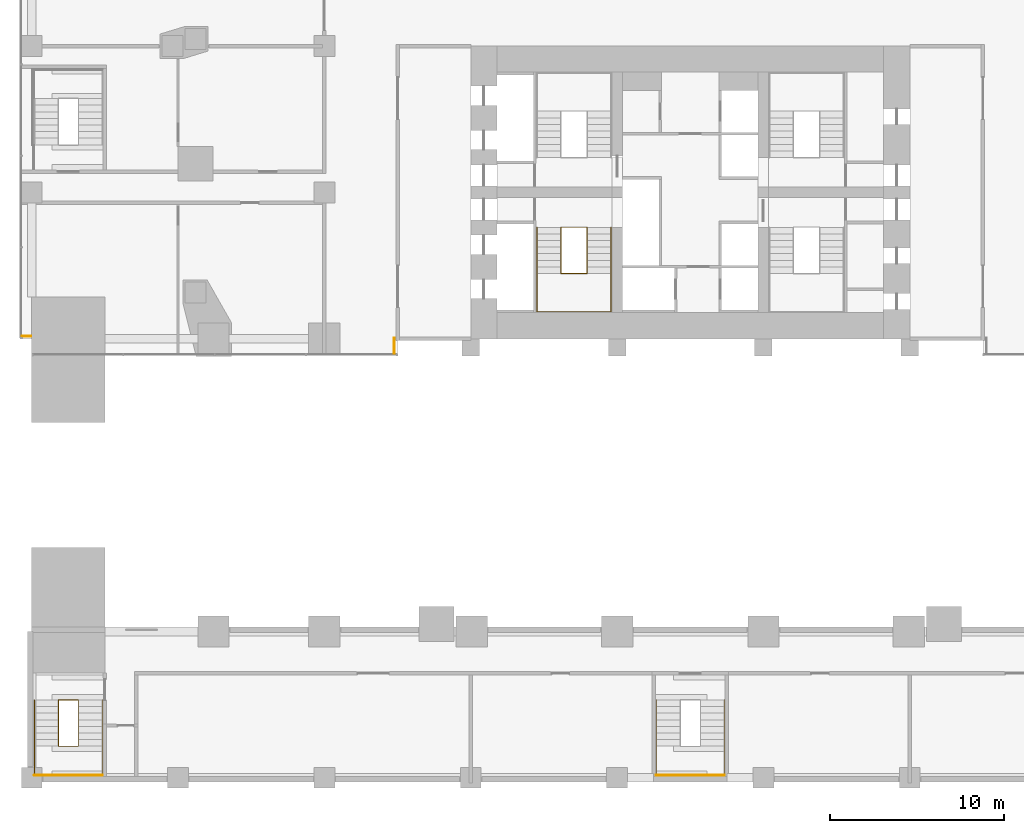
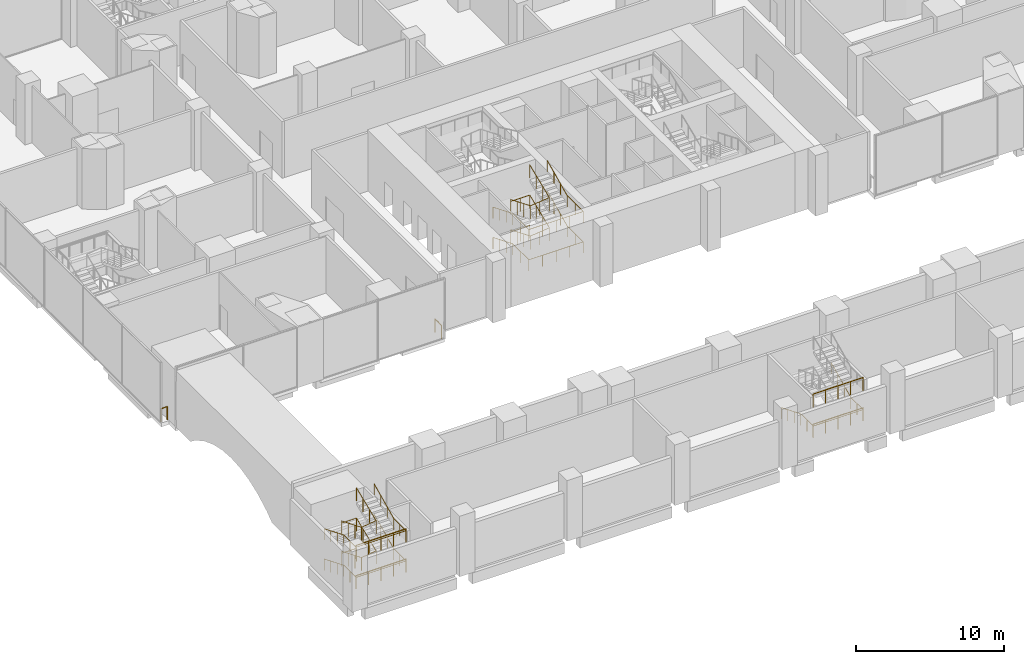
# One storey, part 23 of 28: 15 railings.
"""IFC4 building model written with IfcOpenShell, lengths in metres."""

from ifc_helpers import new_model, si_unit, direction, frame, origin, origin_2d, place, context, subcontext, project, spatial, circle, extrude, material, type_object, element, save


model = new_model("IFC4")

# Units and contexts
model_context = context("Model", 3, precision=1e-05, world=origin(), true_north=direction((0.0, 1.0)))
body_context = subcontext(model_context, "Body", "Model", "MODEL_VIEW")
ifc_project = project(units=[si_unit("LENGTHUNIT", "METRE"), si_unit("AREAUNIT", "SQUARE_METRE"), si_unit("VOLUMEUNIT", "CUBIC_METRE"), si_unit("PLANEANGLEUNIT", "RADIAN"), si_unit("MASSUNIT", "GRAM", prefix="KILO")], contexts=[model_context])

# Site, building, storey
site_placement = place(None, origin())
site = spatial("IfcSite", under=ifc_project, at=site_placement, CompositionType="ELEMENT")
building_placement = place(site_placement, origin())
building = spatial("IfcBuilding", under=site, at=building_placement, Name="Marenta Gate Hotel Tower", CompositionType="ELEMENT")
storey_placement = place(building_placement, frame((0.0, 0.0, 26.0)))
storey = spatial("IfcBuildingStorey", under=building, at=storey_placement, Name="L04", CompositionType="ELEMENT", Elevation=26.0)

# Railings
ifc_material_1 = material(Name="Stainless steel", Category="steel")
railing_type_1 = type_object("IfcRailingType", Name="Core stair handrail 950", PredefinedType="HANDRAIL", material=ifc_material_1)
railing_1_placement = place(storey_placement, frame((-8.800048828125, 6.39990234375, 0.15625)))
element("IfcRailing", 1, at=railing_1_placement, inside=storey, type_object=railing_type_1, Name="HR-950 L04-KR-ST1-1", PredefinedType="HANDRAIL", context=body_context, shape_type="SweptSolid", body=[
    extrude(circle(Radius=0.02392578125, at=origin_2d()), frame((0.0, 0.0, 0.92578125), z_axis=(0.0, -0.924862585091, 0.38030145766), x_axis=(1.0, 0.0, 0.0)), (0.0, 0.0, 1.0), 2.8759765625),
    extrude(circle(Radius=0.02392578125, at=origin_2d()), frame((0.0, -2.659912109375, 2.01953125), z_axis=(0.0, -1.0, 0.0), x_axis=(1.0, 0.0, 0.0)), (0.0, 0.0, 1.0), 2.18994140625),
    extrude(circle(Radius=0.02392578125, at=origin_2d()), frame((0.0, -4.849853515625, 2.01953125), z_axis=(1.0, 0.0, 0.0), x_axis=(0.0, 1.0, 0.0)), (0.0, 0.0, 1.0), 4.25),
    extrude(circle(Radius=0.02392578125, at=origin_2d()), frame((4.25, -4.849853515625, 2.01953125), z_axis=(0.0, 1.0, 0.0), x_axis=(-1.0, 0.0, 0.0)), (0.0, 0.0, 1.0), 2.18994140625),
    extrude(circle(Radius=0.02392578125, at=origin_2d()), frame((4.25, -2.659912109375, 2.01953125), z_axis=(0.0, 0.905044486808, 0.425316913488), x_axis=(-1.0, 0.0, 0.0)), (0.0, 0.0, 1.0), 2.93896484375),
    extrude(circle(Radius=0.02099609375, at=origin_2d()), origin(), (0.0, 0.0, 1.0), 0.90185546875),
    extrude(circle(Radius=0.02099609375, at=origin_2d()), frame((0.0, -0.88671875, 0.364501953125)), (0.0, 0.0, 1.0), 0.90185546875),
    extrude(circle(Radius=0.02099609375, at=origin_2d()), frame((0.0, -1.773193359375, 0.729248046875)), (0.0, 0.0, 1.0), 0.90185546875),
    extrude(circle(Radius=0.02099609375, at=origin_2d()), frame((0.0, -2.659912109375, 1.09375)), (0.0, 0.0, 1.0), 0.90185546875),
    extrude(circle(Radius=0.02099609375, at=origin_2d()), frame((0.0, -3.7548828125, 1.09375)), (0.0, 0.0, 1.0), 0.90185546875),
    extrude(circle(Radius=0.02099609375, at=origin_2d()), frame((0.0, -4.849853515625, 1.09375)), (0.0, 0.0, 1.0), 0.90185546875),
    extrude(circle(Radius=0.02099609375, at=origin_2d()), frame((1.0625, -4.849853515625, 1.09375)), (0.0, 0.0, 1.0), 0.90185546875),
    extrude(circle(Radius=0.02099609375, at=origin_2d()), frame((2.125, -4.849853515625, 1.09375)), (0.0, 0.0, 1.0), 0.90185546875),
    extrude(circle(Radius=0.02099609375, at=origin_2d()), frame((3.1875, -4.849853515625, 1.09375)), (0.0, 0.0, 1.0), 0.90185546875),
    extrude(circle(Radius=0.02099609375, at=origin_2d()), frame((4.25, -4.849853515625, 1.09375)), (0.0, 0.0, 1.0), 0.90185546875),
    extrude(circle(Radius=0.02099609375, at=origin_2d()), frame((4.25, -3.7548828125, 1.09375)), (0.0, 0.0, 1.0), 0.90185546875),
    extrude(circle(Radius=0.02099609375, at=origin_2d()), frame((4.25, -2.659912109375, 1.09375)), (0.0, 0.0, 1.0), 0.90185546875),
    extrude(circle(Radius=0.02099609375, at=origin_2d()), frame((4.25, -1.773193359375, 1.510498046875)), (0.0, 0.0, 1.0), 0.90185546875),
    extrude(circle(Radius=0.02099609375, at=origin_2d()), frame((4.25, -0.88671875, 1.927001953125)), (0.0, 0.0, 1.0), 0.90185546875),
    extrude(circle(Radius=0.02099609375, at=origin_2d()), frame((4.25, 0.0, 2.34375)), (0.0, 0.0, 1.0), 0.90185546875),
])
railing_2_placement = place(storey_placement, frame((-8.800048828125, 6.39990234375, 2.65625)))
element("IfcRailing", 2, at=railing_2_placement, inside=storey, type_object=railing_type_1, Name="HR-950 L04-KR-ST1-3", PredefinedType="HANDRAIL", context=body_context, shape_type="SweptSolid", body=[
    extrude(circle(Radius=0.02392578125, at=origin_2d()), frame((0.0, 0.0, 0.92578125), z_axis=(0.0, -0.924862585091, 0.38030145766), x_axis=(1.0, 0.0, 0.0)), (0.0, 0.0, 1.0), 2.8759765625),
    extrude(circle(Radius=0.02392578125, at=origin_2d()), frame((0.0, -2.659912109375, 2.01953125), z_axis=(0.0, -1.0, 0.0), x_axis=(1.0, 0.0, 0.0)), (0.0, 0.0, 1.0), 2.18994140625),
    extrude(circle(Radius=0.02392578125, at=origin_2d()), frame((0.0, -4.849853515625, 2.01953125), z_axis=(1.0, 0.0, 0.0), x_axis=(0.0, 1.0, 0.0)), (0.0, 0.0, 1.0), 4.25),
    extrude(circle(Radius=0.02392578125, at=origin_2d()), frame((4.25, -4.849853515625, 2.01953125), z_axis=(0.0, 1.0, 0.0), x_axis=(-1.0, 0.0, 0.0)), (0.0, 0.0, 1.0), 2.18994140625),
    extrude(circle(Radius=0.02392578125, at=origin_2d()), frame((4.25, -2.659912109375, 2.01953125), z_axis=(0.0, 0.905044486808, 0.425316913488), x_axis=(-1.0, 0.0, 0.0)), (0.0, 0.0, 1.0), 2.93896484375),
    extrude(circle(Radius=0.02099609375, at=origin_2d()), origin(), (0.0, 0.0, 1.0), 0.90185546875),
    extrude(circle(Radius=0.02099609375, at=origin_2d()), frame((0.0, -0.88671875, 0.364501953125)), (0.0, 0.0, 1.0), 0.90185546875),
    extrude(circle(Radius=0.02099609375, at=origin_2d()), frame((0.0, -1.773193359375, 0.729248046875)), (0.0, 0.0, 1.0), 0.90185546875),
    extrude(circle(Radius=0.02099609375, at=origin_2d()), frame((0.0, -2.659912109375, 1.09375)), (0.0, 0.0, 1.0), 0.90185546875),
    extrude(circle(Radius=0.02099609375, at=origin_2d()), frame((0.0, -3.7548828125, 1.09375)), (0.0, 0.0, 1.0), 0.90185546875),
    extrude(circle(Radius=0.02099609375, at=origin_2d()), frame((0.0, -4.849853515625, 1.09375)), (0.0, 0.0, 1.0), 0.90185546875),
    extrude(circle(Radius=0.02099609375, at=origin_2d()), frame((1.0625, -4.849853515625, 1.09375)), (0.0, 0.0, 1.0), 0.90185546875),
    extrude(circle(Radius=0.02099609375, at=origin_2d()), frame((2.125, -4.849853515625, 1.09375)), (0.0, 0.0, 1.0), 0.90185546875),
    extrude(circle(Radius=0.02099609375, at=origin_2d()), frame((3.1875, -4.849853515625, 1.09375)), (0.0, 0.0, 1.0), 0.90185546875),
    extrude(circle(Radius=0.02099609375, at=origin_2d()), frame((4.25, -4.849853515625, 1.09375)), (0.0, 0.0, 1.0), 0.90185546875),
    extrude(circle(Radius=0.02099609375, at=origin_2d()), frame((4.25, -3.7548828125, 1.09375)), (0.0, 0.0, 1.0), 0.90185546875),
    extrude(circle(Radius=0.02099609375, at=origin_2d()), frame((4.25, -2.659912109375, 1.09375)), (0.0, 0.0, 1.0), 0.90185546875),
    extrude(circle(Radius=0.02099609375, at=origin_2d()), frame((4.25, -1.773193359375, 1.510498046875)), (0.0, 0.0, 1.0), 0.90185546875),
    extrude(circle(Radius=0.02099609375, at=origin_2d()), frame((4.25, -0.88671875, 1.927001953125)), (0.0, 0.0, 1.0), 0.90185546875),
    extrude(circle(Radius=0.02099609375, at=origin_2d()), frame((4.25, 0.0, 2.34375)), (0.0, 0.0, 1.0), 0.90185546875),
])
railing_3_placement = place(storey_placement, frame((-37.64990234375, -20.72998046875, 0.15625)))
element("IfcRailing", 3, at=railing_3_placement, inside=storey, type_object=railing_type_1, Name="HR-950 L04-KR-PX1-2", PredefinedType="HANDRAIL", context=body_context, shape_type="SweptSolid", body=[
    extrude(circle(Radius=0.02392578125, at=origin_2d()), frame((0.0, 0.0, 0.92578125), z_axis=(0.0, -0.924862585091, 0.38030145766), x_axis=(1.0, 0.0, 0.0)), (0.0, 0.0, 1.0), 2.8759765625),
    extrude(circle(Radius=0.02392578125, at=origin_2d()), frame((0.0, -2.659912109375, 2.01953125), z_axis=(0.0, -1.0, 0.0), x_axis=(1.0, 0.0, 0.0)), (0.0, 0.0, 1.0), 1.66015625),
    extrude(circle(Radius=0.02392578125, at=origin_2d()), frame((0.0, -4.320068359375, 2.01953125), z_axis=(1.0, 0.0, 0.0), x_axis=(0.0, 1.0, 0.0)), (0.0, 0.0, 1.0), 3.89990234375),
    extrude(circle(Radius=0.02392578125, at=origin_2d()), frame((3.89990234375, -4.320068359375, 2.01953125), z_axis=(0.0, 1.0, 0.0), x_axis=(-1.0, 0.0, 0.0)), (0.0, 0.0, 1.0), 1.66015625),
    extrude(circle(Radius=0.02392578125, at=origin_2d()), frame((3.89990234375, -2.659912109375, 2.01953125), z_axis=(0.0, 0.905044486808, 0.425316913488), x_axis=(-1.0, 0.0, 0.0)), (0.0, 0.0, 1.0), 2.93896484375),
    extrude(circle(Radius=0.02099609375, at=origin_2d()), origin(), (0.0, 0.0, 1.0), 0.90185546875),
    extrude(circle(Radius=0.02099609375, at=origin_2d()), frame((0.0, -0.88671875, 0.364501953125)), (0.0, 0.0, 1.0), 0.90185546875),
    extrude(circle(Radius=0.02099609375, at=origin_2d()), frame((0.0, -1.773193359375, 0.729248046875)), (0.0, 0.0, 1.0), 0.90185546875),
    extrude(circle(Radius=0.02099609375, at=origin_2d()), frame((0.0, -2.659912109375, 1.09375)), (0.0, 0.0, 1.0), 0.90185546875),
    extrude(circle(Radius=0.02099609375, at=origin_2d()), frame((0.0, -3.489990234375, 1.09375)), (0.0, 0.0, 1.0), 0.90185546875),
    extrude(circle(Radius=0.02099609375, at=origin_2d()), frame((0.0, -4.320068359375, 1.09375)), (0.0, 0.0, 1.0), 0.90185546875),
    extrude(circle(Radius=0.02099609375, at=origin_2d()), frame((0.97509765625, -4.320068359375, 1.09375)), (0.0, 0.0, 1.0), 0.90185546875),
    extrude(circle(Radius=0.02099609375, at=origin_2d()), frame((1.949951171875, -4.320068359375, 1.09375)), (0.0, 0.0, 1.0), 0.90185546875),
    extrude(circle(Radius=0.02099609375, at=origin_2d()), frame((2.9248046875, -4.320068359375, 1.09375)), (0.0, 0.0, 1.0), 0.90185546875),
    extrude(circle(Radius=0.02099609375, at=origin_2d()), frame((3.89990234375, -4.320068359375, 1.09375)), (0.0, 0.0, 1.0), 0.90185546875),
    extrude(circle(Radius=0.02099609375, at=origin_2d()), frame((3.89990234375, -3.489990234375, 1.09375)), (0.0, 0.0, 1.0), 0.90185546875),
    extrude(circle(Radius=0.02099609375, at=origin_2d()), frame((3.89990234375, -2.659912109375, 1.09375)), (0.0, 0.0, 1.0), 0.90185546875),
    extrude(circle(Radius=0.02099609375, at=origin_2d()), frame((3.89990234375, -1.773193359375, 1.510498046875)), (0.0, 0.0, 1.0), 0.90185546875),
    extrude(circle(Radius=0.02099609375, at=origin_2d()), frame((3.89990234375, -0.88671875, 1.927001953125)), (0.0, 0.0, 1.0), 0.90185546875),
    extrude(circle(Radius=0.02099609375, at=origin_2d()), frame((3.89990234375, 0.0, 2.34375)), (0.0, 0.0, 1.0), 0.90185546875),
])
railing_4_placement = place(storey_placement, frame((-37.64990234375, -20.72998046875, 2.65625)))
element("IfcRailing", 4, at=railing_4_placement, inside=storey, type_object=railing_type_1, Name="HR-950 L04-KR-PX1-5", PredefinedType="HANDRAIL", context=body_context, shape_type="SweptSolid", body=[
    extrude(circle(Radius=0.02392578125, at=origin_2d()), frame((0.0, 0.0, 0.92578125), z_axis=(0.0, -0.924862585091, 0.38030145766), x_axis=(1.0, 0.0, 0.0)), (0.0, 0.0, 1.0), 2.8759765625),
    extrude(circle(Radius=0.02392578125, at=origin_2d()), frame((0.0, -2.659912109375, 2.01953125), z_axis=(0.0, -1.0, 0.0), x_axis=(1.0, 0.0, 0.0)), (0.0, 0.0, 1.0), 1.66015625),
    extrude(circle(Radius=0.02392578125, at=origin_2d()), frame((0.0, -4.320068359375, 2.01953125), z_axis=(1.0, 0.0, 0.0), x_axis=(0.0, 1.0, 0.0)), (0.0, 0.0, 1.0), 3.89990234375),
    extrude(circle(Radius=0.02392578125, at=origin_2d()), frame((3.89990234375, -4.320068359375, 2.01953125), z_axis=(0.0, 1.0, 0.0), x_axis=(-1.0, 0.0, 0.0)), (0.0, 0.0, 1.0), 1.66015625),
    extrude(circle(Radius=0.02392578125, at=origin_2d()), frame((3.89990234375, -2.659912109375, 2.01953125), z_axis=(0.0, 0.905044486808, 0.425316913488), x_axis=(-1.0, 0.0, 0.0)), (0.0, 0.0, 1.0), 2.93896484375),
    extrude(circle(Radius=0.02099609375, at=origin_2d()), origin(), (0.0, 0.0, 1.0), 0.90185546875),
    extrude(circle(Radius=0.02099609375, at=origin_2d()), frame((0.0, -0.88671875, 0.364501953125)), (0.0, 0.0, 1.0), 0.90185546875),
    extrude(circle(Radius=0.02099609375, at=origin_2d()), frame((0.0, -1.773193359375, 0.729248046875)), (0.0, 0.0, 1.0), 0.90185546875),
    extrude(circle(Radius=0.02099609375, at=origin_2d()), frame((0.0, -2.659912109375, 1.09375)), (0.0, 0.0, 1.0), 0.90185546875),
    extrude(circle(Radius=0.02099609375, at=origin_2d()), frame((0.0, -3.489990234375, 1.09375)), (0.0, 0.0, 1.0), 0.90185546875),
    extrude(circle(Radius=0.02099609375, at=origin_2d()), frame((0.0, -4.320068359375, 1.09375)), (0.0, 0.0, 1.0), 0.90185546875),
    extrude(circle(Radius=0.02099609375, at=origin_2d()), frame((0.97509765625, -4.320068359375, 1.09375)), (0.0, 0.0, 1.0), 0.90185546875),
    extrude(circle(Radius=0.02099609375, at=origin_2d()), frame((1.949951171875, -4.320068359375, 1.09375)), (0.0, 0.0, 1.0), 0.90185546875),
    extrude(circle(Radius=0.02099609375, at=origin_2d()), frame((2.9248046875, -4.320068359375, 1.09375)), (0.0, 0.0, 1.0), 0.90185546875),
    extrude(circle(Radius=0.02099609375, at=origin_2d()), frame((3.89990234375, -4.320068359375, 1.09375)), (0.0, 0.0, 1.0), 0.90185546875),
    extrude(circle(Radius=0.02099609375, at=origin_2d()), frame((3.89990234375, -3.489990234375, 1.09375)), (0.0, 0.0, 1.0), 0.90185546875),
    extrude(circle(Radius=0.02099609375, at=origin_2d()), frame((3.89990234375, -2.659912109375, 1.09375)), (0.0, 0.0, 1.0), 0.90185546875),
    extrude(circle(Radius=0.02099609375, at=origin_2d()), frame((3.89990234375, -1.773193359375, 1.510498046875)), (0.0, 0.0, 1.0), 0.90185546875),
    extrude(circle(Radius=0.02099609375, at=origin_2d()), frame((3.89990234375, -0.88671875, 1.927001953125)), (0.0, 0.0, 1.0), 0.90185546875),
    extrude(circle(Radius=0.02099609375, at=origin_2d()), frame((3.89990234375, 0.0, 2.34375)), (0.0, 0.0, 1.0), 0.90185546875),
])
railing_5_placement = place(storey_placement, frame((-1.949951171875, -20.72998046875, 0.15625)))
element("IfcRailing", 5, at=railing_5_placement, inside=storey, type_object=railing_type_1, Name="HR-950 L04-KR-PX5-2", PredefinedType="HANDRAIL", context=body_context, shape_type="SweptSolid", body=[
    extrude(circle(Radius=0.02392578125, at=origin_2d()), frame((0.0, 0.0, 0.92578125), z_axis=(0.0, -0.924862585091, 0.38030145766), x_axis=(1.0, 0.0, 0.0)), (0.0, 0.0, 1.0), 2.8759765625),
    extrude(circle(Radius=0.02392578125, at=origin_2d()), frame((0.0, -2.659912109375, 2.01953125), z_axis=(0.0, -1.0, 0.0), x_axis=(1.0, 0.0, 0.0)), (0.0, 0.0, 1.0), 1.66015625),
    extrude(circle(Radius=0.02392578125, at=origin_2d()), frame((0.0, -4.320068359375, 2.01953125), z_axis=(1.0, 0.0, 0.0), x_axis=(0.0, 1.0, 0.0)), (0.0, 0.0, 1.0), 3.89990234375),
    extrude(circle(Radius=0.02392578125, at=origin_2d()), frame((3.89990234375, -4.320068359375, 2.01953125), z_axis=(0.0, 1.0, 0.0), x_axis=(-1.0, 0.0, 0.0)), (0.0, 0.0, 1.0), 1.66015625),
    extrude(circle(Radius=0.02392578125, at=origin_2d()), frame((3.89990234375, -2.659912109375, 2.01953125), z_axis=(0.0, 0.905044486808, 0.425316913488), x_axis=(-1.0, 0.0, 0.0)), (0.0, 0.0, 1.0), 2.93896484375),
    extrude(circle(Radius=0.02099609375, at=origin_2d()), origin(), (0.0, 0.0, 1.0), 0.90185546875),
    extrude(circle(Radius=0.02099609375, at=origin_2d()), frame((0.0, -0.88671875, 0.364501953125)), (0.0, 0.0, 1.0), 0.90185546875),
    extrude(circle(Radius=0.02099609375, at=origin_2d()), frame((0.0, -1.773193359375, 0.729248046875)), (0.0, 0.0, 1.0), 0.90185546875),
    extrude(circle(Radius=0.02099609375, at=origin_2d()), frame((0.0, -2.659912109375, 1.09375)), (0.0, 0.0, 1.0), 0.90185546875),
    extrude(circle(Radius=0.02099609375, at=origin_2d()), frame((0.0, -3.489990234375, 1.09375)), (0.0, 0.0, 1.0), 0.90185546875),
    extrude(circle(Radius=0.02099609375, at=origin_2d()), frame((0.0, -4.320068359375, 1.09375)), (0.0, 0.0, 1.0), 0.90185546875),
    extrude(circle(Radius=0.02099609375, at=origin_2d()), frame((0.97509765625, -4.320068359375, 1.09375)), (0.0, 0.0, 1.0), 0.90185546875),
    extrude(circle(Radius=0.02099609375, at=origin_2d()), frame((1.949951171875, -4.320068359375, 1.09375)), (0.0, 0.0, 1.0), 0.90185546875),
    extrude(circle(Radius=0.02099609375, at=origin_2d()), frame((2.9248046875, -4.320068359375, 1.09375)), (0.0, 0.0, 1.0), 0.90185546875),
    extrude(circle(Radius=0.02099609375, at=origin_2d()), frame((3.89990234375, -4.320068359375, 1.09375)), (0.0, 0.0, 1.0), 0.90185546875),
    extrude(circle(Radius=0.02099609375, at=origin_2d()), frame((3.89990234375, -3.489990234375, 1.09375)), (0.0, 0.0, 1.0), 0.90185546875),
    extrude(circle(Radius=0.02099609375, at=origin_2d()), frame((3.89990234375, -2.659912109375, 1.09375)), (0.0, 0.0, 1.0), 0.90185546875),
    extrude(circle(Radius=0.02099609375, at=origin_2d()), frame((3.89990234375, -1.773193359375, 1.510498046875)), (0.0, 0.0, 1.0), 0.90185546875),
    extrude(circle(Radius=0.02099609375, at=origin_2d()), frame((3.89990234375, -0.88671875, 1.927001953125)), (0.0, 0.0, 1.0), 0.90185546875),
    extrude(circle(Radius=0.02099609375, at=origin_2d()), frame((3.89990234375, 0.0, 2.34375)), (0.0, 0.0, 1.0), 0.90185546875),
])
ifc_material_2 = material(Name="Stainless steel", Category="steel")
railing_type_2 = type_object("IfcRailingType", Name="Core stair well guard 1100", PredefinedType="GUARDRAIL", material=ifc_material_2)
railing_6_placement = place(storey_placement, frame((-5.929931640625, 6.39990234375, 0.0)))
element("IfcRailing", 6, at=railing_6_placement, inside=storey, type_object=railing_type_2, Name="GR-1100 L04-KR-ST1-2", PredefinedType="GUARDRAIL", context=body_context, shape_type="SweptSolid", body=[
    extrude(circle(Radius=0.02392578125, at=origin_2d()), frame((0.0, 0.0, 1.076171875), z_axis=(-1.0, 0.0, 0.0), x_axis=(0.0, -1.0, 0.0)), (0.0, 0.0, 1.0), 1.489990234375),
    extrude(circle(Radius=0.02392578125, at=origin_2d()), frame((-1.489990234375, 0.0, 1.076171875), z_axis=(0.0, 0.0, 1.0), x_axis=(1.0, 0.0, 0.0)), (0.0, 0.0, 1.0), 0.15625),
    extrude(circle(Radius=0.02392578125, at=origin_2d()), frame((-1.489990234375, 0.0, 1.232421875), z_axis=(0.0, -0.924862585091, 0.38030145766), x_axis=(1.0, 0.0, 0.0)), (0.0, 0.0, 1.0), 2.8759765625),
    extrude(circle(Radius=0.02392578125, at=origin_2d()), frame((-1.489990234375, -2.659912109375, 2.326171875), z_axis=(0.994546451282, 0.0, 0.104294564775), x_axis=(0.0, 1.0, 0.0)), (0.0, 0.0, 1.0), 1.498046875),
    extrude(circle(Radius=0.02392578125, at=origin_2d()), frame((0.0, -2.659912109375, 2.482421875), z_axis=(0.0, 0.924862585091, 0.38030145766), x_axis=(-1.0, 0.0, 0.0)), (0.0, 0.0, 1.0), 2.8759765625),
    extrude(circle(Radius=0.02099609375, at=origin_2d()), origin(), (0.0, 0.0, 1.0), 1.052001953125),
    extrude(circle(Radius=0.02099609375, at=origin_2d()), frame((-0.7451171875, 0.0, 0.0)), (0.0, 0.0, 1.0), 1.052001953125),
    extrude(circle(Radius=0.02099609375, at=origin_2d()), frame((-1.489990234375, 0.0, 0.0)), (0.0, 0.0, 1.0), 1.052001953125),
    extrude(circle(Radius=0.02099609375, at=origin_2d()), frame((-1.489990234375, 0.0, 0.15625)), (0.0, 0.0, 1.0), 1.052001953125),
    extrude(circle(Radius=0.02099609375, at=origin_2d()), frame((-1.489990234375, -0.88671875, 0.520751953125)), (0.0, 0.0, 1.0), 1.052001953125),
    extrude(circle(Radius=0.02099609375, at=origin_2d()), frame((-1.489990234375, -1.773193359375, 0.885498046875)), (0.0, 0.0, 1.0), 1.052001953125),
    extrude(circle(Radius=0.02099609375, at=origin_2d()), frame((-1.489990234375, -2.659912109375, 1.25)), (0.0, 0.0, 1.0), 1.052001953125),
    extrude(circle(Radius=0.02099609375, at=origin_2d()), frame((-0.7451171875, -2.659912109375, 1.328125)), (0.0, 0.0, 1.0), 1.052001953125),
    extrude(circle(Radius=0.02099609375, at=origin_2d()), frame((0.0, -2.659912109375, 1.40625)), (0.0, 0.0, 1.0), 1.052001953125),
    extrude(circle(Radius=0.02099609375, at=origin_2d()), frame((0.0, -1.773193359375, 1.770751953125)), (0.0, 0.0, 1.0), 1.052001953125),
    extrude(circle(Radius=0.02099609375, at=origin_2d()), frame((0.0, -0.88671875, 2.135498046875)), (0.0, 0.0, 1.0), 1.052001953125),
    extrude(circle(Radius=0.02099609375, at=origin_2d()), frame((0.0, 0.0, 2.5)), (0.0, 0.0, 1.0), 1.052001953125),
])
railing_7_placement = place(storey_placement, frame((-5.929931640625, 6.39990234375, 2.5)))
element("IfcRailing", 7, at=railing_7_placement, inside=storey, type_object=railing_type_2, Name="GR-1100 L04-KR-ST1-4", PredefinedType="GUARDRAIL", context=body_context, shape_type="SweptSolid", body=[
    extrude(circle(Radius=0.02392578125, at=origin_2d()), frame((0.0, 0.0, 1.076171875), z_axis=(-1.0, 0.0, 0.0), x_axis=(0.0, -1.0, 0.0)), (0.0, 0.0, 1.0), 1.489990234375),
    extrude(circle(Radius=0.02392578125, at=origin_2d()), frame((-1.489990234375, 0.0, 1.076171875), z_axis=(0.0, 0.0, 1.0), x_axis=(1.0, 0.0, 0.0)), (0.0, 0.0, 1.0), 0.15625),
    extrude(circle(Radius=0.02392578125, at=origin_2d()), frame((-1.489990234375, 0.0, 1.232421875), z_axis=(0.0, -0.924862585091, 0.38030145766), x_axis=(1.0, 0.0, 0.0)), (0.0, 0.0, 1.0), 2.8759765625),
    extrude(circle(Radius=0.02392578125, at=origin_2d()), frame((-1.489990234375, -2.659912109375, 2.326171875), z_axis=(0.994546451282, 0.0, 0.104294564775), x_axis=(0.0, 1.0, 0.0)), (0.0, 0.0, 1.0), 1.498046875),
    extrude(circle(Radius=0.02392578125, at=origin_2d()), frame((0.0, -2.659912109375, 2.482421875), z_axis=(0.0, 0.924862585091, 0.38030145766), x_axis=(-1.0, 0.0, 0.0)), (0.0, 0.0, 1.0), 2.8759765625),
    extrude(circle(Radius=0.02099609375, at=origin_2d()), origin(), (0.0, 0.0, 1.0), 1.052001953125),
    extrude(circle(Radius=0.02099609375, at=origin_2d()), frame((-0.7451171875, 0.0, 0.0)), (0.0, 0.0, 1.0), 1.052001953125),
    extrude(circle(Radius=0.02099609375, at=origin_2d()), frame((-1.489990234375, 0.0, 0.0)), (0.0, 0.0, 1.0), 1.052001953125),
    extrude(circle(Radius=0.02099609375, at=origin_2d()), frame((-1.489990234375, 0.0, 0.15625)), (0.0, 0.0, 1.0), 1.052001953125),
    extrude(circle(Radius=0.02099609375, at=origin_2d()), frame((-1.489990234375, -0.88671875, 0.520751953125)), (0.0, 0.0, 1.0), 1.052001953125),
    extrude(circle(Radius=0.02099609375, at=origin_2d()), frame((-1.489990234375, -1.773193359375, 0.885498046875)), (0.0, 0.0, 1.0), 1.052001953125),
    extrude(circle(Radius=0.02099609375, at=origin_2d()), frame((-1.489990234375, -2.659912109375, 1.25)), (0.0, 0.0, 1.0), 1.052001953125),
    extrude(circle(Radius=0.02099609375, at=origin_2d()), frame((-0.7451171875, -2.659912109375, 1.328125)), (0.0, 0.0, 1.0), 1.052001953125),
    extrude(circle(Radius=0.02099609375, at=origin_2d()), frame((0.0, -2.659912109375, 1.40625)), (0.0, 0.0, 1.0), 1.052001953125),
    extrude(circle(Radius=0.02099609375, at=origin_2d()), frame((0.0, -1.773193359375, 1.770751953125)), (0.0, 0.0, 1.0), 1.052001953125),
    extrude(circle(Radius=0.02099609375, at=origin_2d()), frame((0.0, -0.88671875, 2.135498046875)), (0.0, 0.0, 1.0), 1.052001953125),
    extrude(circle(Radius=0.02099609375, at=origin_2d()), frame((0.0, 0.0, 2.5)), (0.0, 0.0, 1.0), 1.052001953125),
])
railing_8_placement = place(storey_placement, frame((-37.64990234375, -25.050048828125, 1.25)))
element("IfcRailing", 8, at=railing_8_placement, inside=storey, type_object=railing_type_2, Name="GR-1100 L04-KR-PX1-1", PredefinedType="GUARDRAIL", context=body_context, shape_type="SweptSolid", body=[
    extrude(circle(Radius=0.02392578125, at=origin_2d()), frame((0.0, 0.0, 1.076171875), z_axis=(1.0, 0.0, 0.0), x_axis=(0.0, 1.0, 0.0)), (0.0, 0.0, 1.0), 3.89990234375),
    extrude(circle(Radius=0.02099609375, at=origin_2d()), origin(), (0.0, 0.0, 1.0), 1.052001953125),
    extrude(circle(Radius=0.02099609375, at=origin_2d()), frame((0.97509765625, 0.0, 0.0)), (0.0, 0.0, 1.0), 1.052001953125),
    extrude(circle(Radius=0.02099609375, at=origin_2d()), frame((1.949951171875, 0.0, 0.0)), (0.0, 0.0, 1.0), 1.052001953125),
    extrude(circle(Radius=0.02099609375, at=origin_2d()), frame((2.9248046875, 0.0, 0.0)), (0.0, 0.0, 1.0), 1.052001953125),
    extrude(circle(Radius=0.02099609375, at=origin_2d()), frame((3.89990234375, 0.0, 0.0)), (0.0, 0.0, 1.0), 1.052001953125),
])
railing_9_placement = place(storey_placement, frame((-35.1298828125, -20.72998046875, 0.0)))
element("IfcRailing", 9, at=railing_9_placement, inside=storey, type_object=railing_type_2, Name="GR-1100 L04-KR-PX1-3", PredefinedType="GUARDRAIL", context=body_context, shape_type="SweptSolid", body=[
    extrude(circle(Radius=0.02392578125, at=origin_2d()), frame((0.0, 0.0, 1.076171875), z_axis=(-1.0, 0.0, 0.0), x_axis=(0.0, -1.0, 0.0)), (0.0, 0.0, 1.0), 1.14013671875),
    extrude(circle(Radius=0.02392578125, at=origin_2d()), frame((-1.14013671875, 0.0, 1.076171875), z_axis=(0.0, 0.0, 1.0), x_axis=(1.0, 0.0, 0.0)), (0.0, 0.0, 1.0), 0.15625),
    extrude(circle(Radius=0.02392578125, at=origin_2d()), frame((-1.14013671875, 0.0, 1.232421875), z_axis=(0.0, -0.924862585091, 0.38030145766), x_axis=(1.0, 0.0, 0.0)), (0.0, 0.0, 1.0), 2.8759765625),
    extrude(circle(Radius=0.02392578125, at=origin_2d()), frame((-1.14013671875, -2.659912109375, 2.326171875), z_axis=(0.990739578357, 0.0, 0.135775873693), x_axis=(0.0, 1.0, 0.0)), (0.0, 0.0, 1.0), 1.15087890625),
    extrude(circle(Radius=0.02392578125, at=origin_2d()), frame((0.0, -2.659912109375, 2.482421875), z_axis=(0.0, 0.924862585091, 0.38030145766), x_axis=(-1.0, 0.0, 0.0)), (0.0, 0.0, 1.0), 2.8759765625),
    extrude(circle(Radius=0.02099609375, at=origin_2d()), origin(), (0.0, 0.0, 1.0), 1.052001953125),
    extrude(circle(Radius=0.02099609375, at=origin_2d()), frame((-1.14013671875, 0.0, 0.0)), (0.0, 0.0, 1.0), 1.052001953125),
    extrude(circle(Radius=0.02099609375, at=origin_2d()), frame((-1.14013671875, 0.0, 0.15625)), (0.0, 0.0, 1.0), 1.052001953125),
    extrude(circle(Radius=0.02099609375, at=origin_2d()), frame((-1.14013671875, -0.88671875, 0.520751953125)), (0.0, 0.0, 1.0), 1.052001953125),
    extrude(circle(Radius=0.02099609375, at=origin_2d()), frame((-1.14013671875, -1.773193359375, 0.885498046875)), (0.0, 0.0, 1.0), 1.052001953125),
    extrude(circle(Radius=0.02099609375, at=origin_2d()), frame((-1.14013671875, -2.659912109375, 1.25)), (0.0, 0.0, 1.0), 1.052001953125),
    extrude(circle(Radius=0.02099609375, at=origin_2d()), frame((0.0, -2.659912109375, 1.40625)), (0.0, 0.0, 1.0), 1.052001953125),
    extrude(circle(Radius=0.02099609375, at=origin_2d()), frame((0.0, -1.773193359375, 1.770751953125)), (0.0, 0.0, 1.0), 1.052001953125),
    extrude(circle(Radius=0.02099609375, at=origin_2d()), frame((0.0, -0.88671875, 2.135498046875)), (0.0, 0.0, 1.0), 1.052001953125),
    extrude(circle(Radius=0.02099609375, at=origin_2d()), frame((0.0, 0.0, 2.5)), (0.0, 0.0, 1.0), 1.052001953125),
])
railing_10_placement = place(storey_placement, frame((-37.64990234375, -25.050048828125, 3.75)))
element("IfcRailing", 10, at=railing_10_placement, inside=storey, type_object=railing_type_2, Name="GR-1100 L04-KR-PX1-4", PredefinedType="GUARDRAIL", context=body_context, shape_type="SweptSolid", body=[
    extrude(circle(Radius=0.02392578125, at=origin_2d()), frame((0.0, 0.0, 1.076171875), z_axis=(1.0, 0.0, 0.0), x_axis=(0.0, 1.0, 0.0)), (0.0, 0.0, 1.0), 3.89990234375),
    extrude(circle(Radius=0.02099609375, at=origin_2d()), origin(), (0.0, 0.0, 1.0), 1.052001953125),
    extrude(circle(Radius=0.02099609375, at=origin_2d()), frame((0.97509765625, 0.0, 0.0)), (0.0, 0.0, 1.0), 1.052001953125),
    extrude(circle(Radius=0.02099609375, at=origin_2d()), frame((1.949951171875, 0.0, 0.0)), (0.0, 0.0, 1.0), 1.052001953125),
    extrude(circle(Radius=0.02099609375, at=origin_2d()), frame((2.9248046875, 0.0, 0.0)), (0.0, 0.0, 1.0), 1.052001953125),
    extrude(circle(Radius=0.02099609375, at=origin_2d()), frame((3.89990234375, 0.0, 0.0)), (0.0, 0.0, 1.0), 1.052001953125),
])
railing_11_placement = place(storey_placement, frame((-35.1298828125, -20.72998046875, 2.5)))
element("IfcRailing", 11, at=railing_11_placement, inside=storey, type_object=railing_type_2, Name="GR-1100 L04-KR-PX1-6", PredefinedType="GUARDRAIL", context=body_context, shape_type="SweptSolid", body=[
    extrude(circle(Radius=0.02392578125, at=origin_2d()), frame((0.0, 0.0, 1.076171875), z_axis=(-1.0, 0.0, 0.0), x_axis=(0.0, -1.0, 0.0)), (0.0, 0.0, 1.0), 1.14013671875),
    extrude(circle(Radius=0.02392578125, at=origin_2d()), frame((-1.14013671875, 0.0, 1.076171875), z_axis=(0.0, 0.0, 1.0), x_axis=(1.0, 0.0, 0.0)), (0.0, 0.0, 1.0), 0.15625),
    extrude(circle(Radius=0.02392578125, at=origin_2d()), frame((-1.14013671875, 0.0, 1.232421875), z_axis=(0.0, -0.924862585091, 0.38030145766), x_axis=(1.0, 0.0, 0.0)), (0.0, 0.0, 1.0), 2.8759765625),
    extrude(circle(Radius=0.02392578125, at=origin_2d()), frame((-1.14013671875, -2.659912109375, 2.326171875), z_axis=(0.990739578357, 0.0, 0.135775873693), x_axis=(0.0, 1.0, 0.0)), (0.0, 0.0, 1.0), 1.15087890625),
    extrude(circle(Radius=0.02392578125, at=origin_2d()), frame((0.0, -2.659912109375, 2.482421875), z_axis=(0.0, 0.924862585091, 0.38030145766), x_axis=(-1.0, 0.0, 0.0)), (0.0, 0.0, 1.0), 2.8759765625),
    extrude(circle(Radius=0.02099609375, at=origin_2d()), origin(), (0.0, 0.0, 1.0), 1.052001953125),
    extrude(circle(Radius=0.02099609375, at=origin_2d()), frame((-1.14013671875, 0.0, 0.0)), (0.0, 0.0, 1.0), 1.052001953125),
    extrude(circle(Radius=0.02099609375, at=origin_2d()), frame((-1.14013671875, 0.0, 0.15625)), (0.0, 0.0, 1.0), 1.052001953125),
    extrude(circle(Radius=0.02099609375, at=origin_2d()), frame((-1.14013671875, -0.88671875, 0.520751953125)), (0.0, 0.0, 1.0), 1.052001953125),
    extrude(circle(Radius=0.02099609375, at=origin_2d()), frame((-1.14013671875, -1.773193359375, 0.885498046875)), (0.0, 0.0, 1.0), 1.052001953125),
    extrude(circle(Radius=0.02099609375, at=origin_2d()), frame((-1.14013671875, -2.659912109375, 1.25)), (0.0, 0.0, 1.0), 1.052001953125),
    extrude(circle(Radius=0.02099609375, at=origin_2d()), frame((0.0, -2.659912109375, 1.40625)), (0.0, 0.0, 1.0), 1.052001953125),
    extrude(circle(Radius=0.02099609375, at=origin_2d()), frame((0.0, -1.773193359375, 1.770751953125)), (0.0, 0.0, 1.0), 1.052001953125),
    extrude(circle(Radius=0.02099609375, at=origin_2d()), frame((0.0, -0.88671875, 2.135498046875)), (0.0, 0.0, 1.0), 1.052001953125),
    extrude(circle(Radius=0.02099609375, at=origin_2d()), frame((0.0, 0.0, 2.5)), (0.0, 0.0, 1.0), 1.052001953125),
])
for number, where, name in (
    (12, (-1.949951171875, -25.050048828125, 1.25), "GR-1100 L04-KR-PX5-1"),
    (13, (-1.949951171875, -25.050048828125, 3.75), "GR-1100 L04-KR-PX5-4"),
):
    element("IfcRailing", number, at=place(storey_placement, frame(where)), inside=storey, type_object=railing_type_2, Name=name, PredefinedType="GUARDRAIL", context=body_context, shape_type="SweptSolid", body=[
        extrude(circle(Radius=0.02392578125, at=origin_2d()), frame((0.0, 0.0, 1.076171875), z_axis=(1.0, 0.0, 0.0), x_axis=(0.0, 1.0, 0.0)), (0.0, 0.0, 1.0), 3.89990234375),
        extrude(circle(Radius=0.02099609375, at=origin_2d()), origin(), (0.0, 0.0, 1.0), 1.052001953125),
        extrude(circle(Radius=0.02099609375, at=origin_2d()), frame((0.97509765625, 0.0, 0.0)), (0.0, 0.0, 1.0), 1.052001953125),
        extrude(circle(Radius=0.02099609375, at=origin_2d()), frame((1.949951171875, 0.0, 0.0)), (0.0, 0.0, 1.0), 1.052001953125),
        extrude(circle(Radius=0.02099609375, at=origin_2d()), frame((2.9248046875, 0.0, 0.0)), (0.0, 0.0, 1.0), 1.052001953125),
        extrude(circle(Radius=0.02099609375, at=origin_2d()), frame((3.89990234375, 0.0, 0.0)), (0.0, 0.0, 1.0), 1.052001953125),
    ])
ifc_material_3 = material(Name="Stainless steel", Category="steel")
railing_type_3 = type_object("IfcRailingType", Name="Slab edge guard 1100", PredefinedType="GUARDRAIL", material=ifc_material_3)
railing_12_placement = place(storey_placement, frame((-17.0, -0.85009765625, 0.0)))
element("IfcRailing", 14, at=railing_12_placement, inside=storey, type_object=railing_type_3, Name="GR-1100E L04-PGD-W", PredefinedType="GUARDRAIL", context=body_context, shape_type="SweptSolid", body=[
    extrude(circle(Radius=0.02392578125, at=origin_2d()), frame((0.0, 0.0, 1.076171875), z_axis=(0.0, 1.0, 0.0), x_axis=(-1.0, 0.0, 0.0)), (0.0, 0.0, 1.0), 0.900146484375),
    extrude(circle(Radius=0.02099609375, at=origin_2d()), origin(), (0.0, 0.0, 1.0), 1.052001953125),
    extrude(circle(Radius=0.02099609375, at=origin_2d()), frame((0.0, 0.900146484375, 0.0)), (0.0, 0.0, 1.0), 1.052001953125),
])
railing_13_placement = place(storey_placement, frame((-38.35009765625, 0.14990234375, 0.0)))
element("IfcRailing", 15, at=railing_13_placement, inside=storey, type_object=railing_type_3, Name="GR-1100E L04-PGD-CW", PredefinedType="GUARDRAIL", context=body_context, shape_type="SweptSolid", body=[
    extrude(circle(Radius=0.02392578125, at=origin_2d()), frame((0.0, 0.0, 1.076171875), z_axis=(1.0, 0.0, 0.0), x_axis=(0.0, 1.0, 0.0)), (0.0, 0.0, 1.0), 0.5),
    extrude(circle(Radius=0.02099609375, at=origin_2d()), origin(), (0.0, 0.0, 1.0), 1.052001953125),
    extrude(circle(Radius=0.02099609375, at=origin_2d()), frame((0.5, 0.0, 0.0)), (0.0, 0.0, 1.0), 1.052001953125),
])

save(model, "model.ifc")
